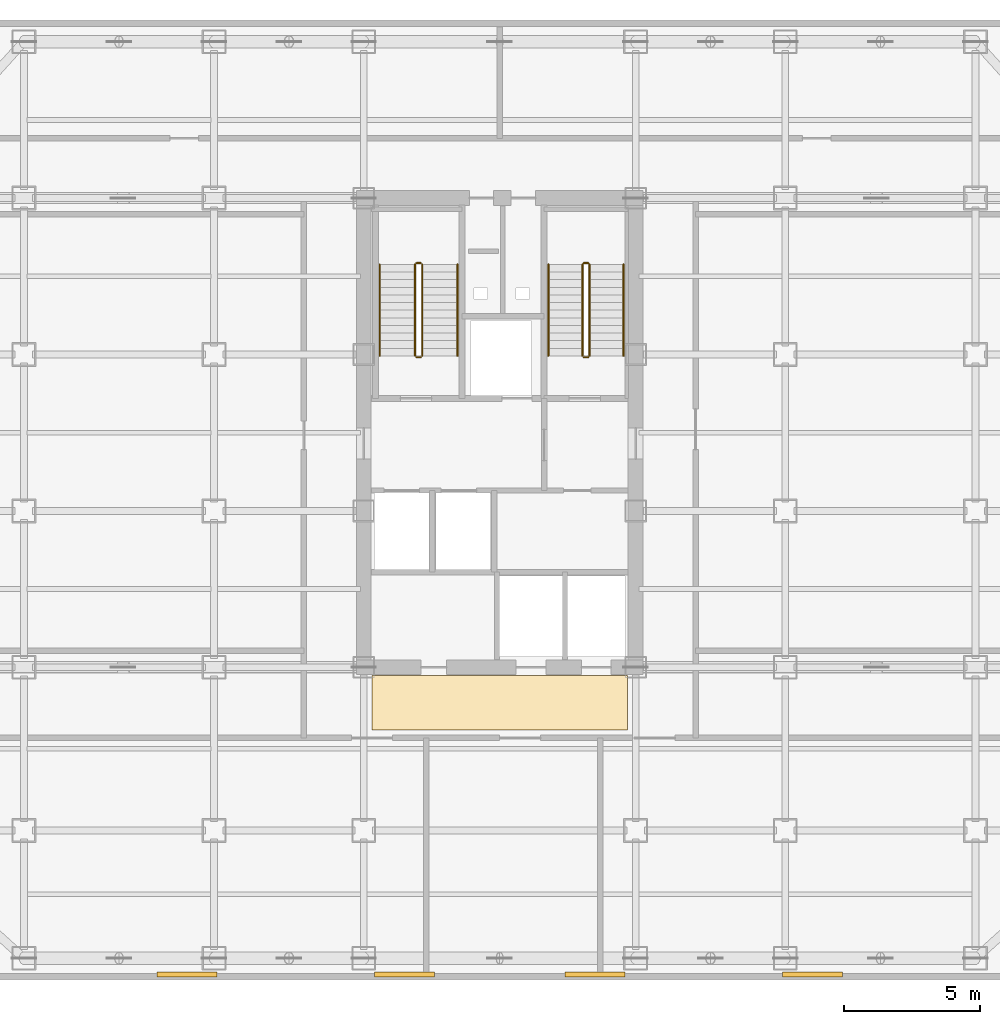
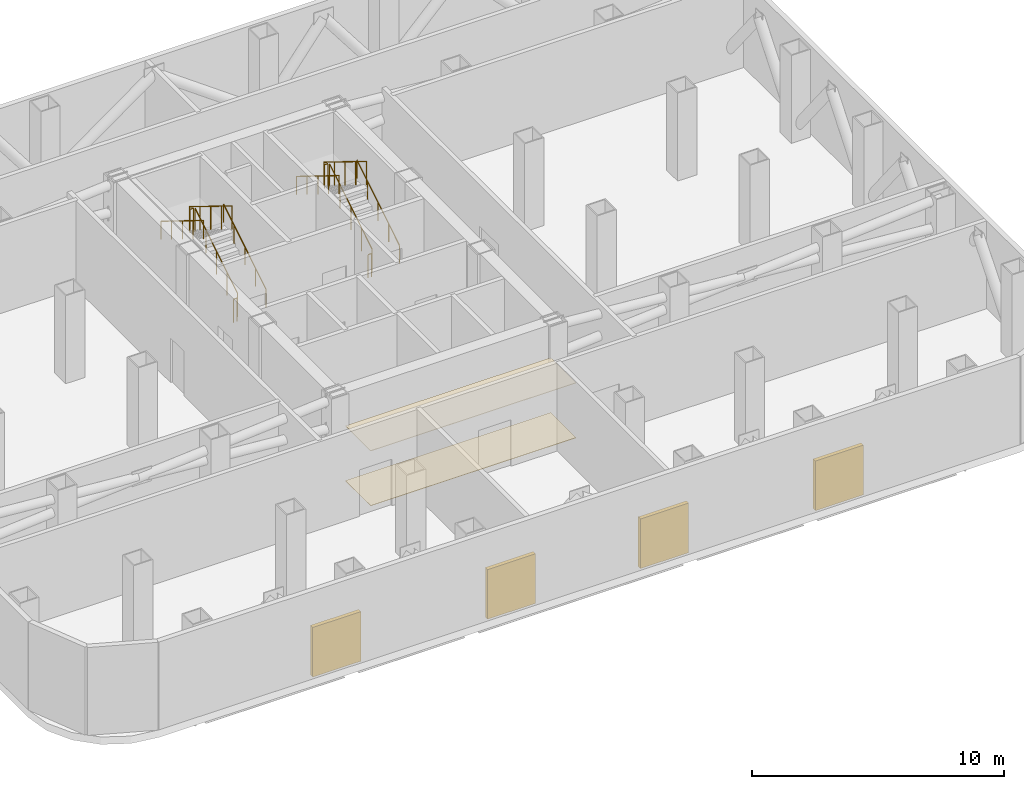
# One storey, part 9 of 9: 12 railings, 4 shading devices, 2 coverings.
"""IFC4 building model written with IfcOpenShell, lengths in metres."""

import ifcopenshell
import ifcopenshell.guid

model = None  # the IFC model being written
_history = None  # IfcOwnerHistory: only IFC2X3 demands one
_inside = {}  # id of a spatial element -> (the spatial element, [elements in it])
_under = {}  # id of a project, library or spatial element -> (it, [spatial elements below it])
_declared = {}  # id of a project -> (the project, [libraries it declares])
_typed = {}  # id of a type object -> (the type object, [elements of that type])
_made_of = {}  # id of a material, layer set ... -> (it, [elements and type objects made of it])


def new_model(schema):
    """Start an empty IFC model of exactly this schema.

    Asked for "IFC4X3", IfcOpenShell would pick the latest addendum, in which some entities
    have other attributes; the version numbers below select the first issue.
    IFC2X3 requires an IfcOwnerHistory on every rooted entity: one is made here for all.
    """
    global model, _history
    if schema == "IFC4X3":
        model = ifcopenshell.file(schema_version=(4, 3, 0, 0))
    else:
        model = ifcopenshell.file(schema=schema)
    _inside.clear()
    _under.clear()
    _declared.clear()
    _typed.clear()
    _made_of.clear()
    _history = None
    if model.schema == "IFC2X3":
        org = make("IfcOrganization", Name="unknown")
        user = make(
            "IfcPersonAndOrganization",
            ThePerson=make("IfcPerson", FamilyName="unknown"),
            TheOrganization=org,
        )
        app = make(
            "IfcApplication",
            ApplicationDeveloper=org,
            Version="unknown",
            ApplicationFullName="unknown",
            ApplicationIdentifier="unknown",
        )
        _history = make(
            "IfcOwnerHistory",
            OwningUser=user,
            OwningApplication=app,
            ChangeAction="ADDED",
            CreationDate=0,
        )
    return model


def make(cls, **values):
    """One entity of the class cls with the attributes given. An attribute that is None is left unset."""
    return model.create_entity(
        cls, **{name: value for name, value in values.items() if value is not None}
    )


def rooted(cls, **values):
    """An entity with a GlobalId (a new one), such as an element, a storey or a relation."""
    return make(cls, GlobalId=ifcopenshell.guid.new(), OwnerHistory=_history, **values)


def si_unit(unit_type, name, prefix=None):
    """IfcSIUnit, for example si_unit("LENGTHUNIT", "METRE", prefix="MILLI")."""
    return make("IfcSIUnit", UnitType=unit_type, Prefix=prefix, Name=name)


def assignment(units):
    """IfcUnitAssignment: the units of a project."""
    return None if units is None else make("IfcUnitAssignment", Units=units)


def point(xyz):
    """IfcCartesianPoint."""
    return None if xyz is None else make("IfcCartesianPoint", Coordinates=xyz)


def direction(xyz):
    """IfcDirection."""
    return None if xyz is None else make("IfcDirection", DirectionRatios=xyz)


def frame(location, z_axis=None, x_axis=None):
    """IfcAxis2Placement3D, a coordinate frame: its origin and axes. An axis left out is left unset."""
    return make(
        "IfcAxis2Placement3D",
        Location=point(location),
        Axis=direction(z_axis),
        RefDirection=direction(x_axis),
    )


def frame_2d(location, x_axis=None):
    """IfcAxis2Placement2D, a coordinate frame in the plane: its origin and x axis."""
    return make(
        "IfcAxis2Placement2D", Location=point(location), RefDirection=direction(x_axis)
    )


def origin():
    """The frame at (0, 0, 0) with its axes left unset."""
    return frame((0.0, 0.0, 0.0))


def origin_2d():
    """The frame at (0, 0) in the plane with its x axis left unset."""
    return frame_2d((0.0, 0.0))


def place(relative_to, where):
    """IfcLocalPlacement: puts the frame where relative to a parent placement (None: the world)."""
    return make(
        "IfcLocalPlacement", PlacementRelTo=relative_to, RelativePlacement=where
    )


def context(
    kind, dimensions, precision=None, world=None, true_north=None, identifier=None
):
    """IfcGeometricRepresentationContext, for example the 3D "Model" context."""
    return make(
        "IfcGeometricRepresentationContext",
        ContextIdentifier=identifier,
        ContextType=kind,
        CoordinateSpaceDimension=dimensions,
        Precision=precision,
        WorldCoordinateSystem=world,
        TrueNorth=true_north,
    )


def subcontext(parent, identifier, kind, view, scale=None):
    """IfcGeometricRepresentationSubContext, for example "Body" below "Model"."""
    return make(
        "IfcGeometricRepresentationSubContext",
        ContextIdentifier=identifier,
        ContextType=kind,
        ParentContext=parent,
        TargetScale=scale,
        TargetView=view,
    )


def project(units=None, contexts=None):
    """IfcProject with its units and contexts."""
    return rooted(
        "IfcProject",
        Name="project",
        RepresentationContexts=contexts,
        UnitsInContext=assignment(units),
    )


def spatial(cls, under=None, at=None, **own):
    """A site, building, storey or space (cls), placed at a placement, below another one or the project."""
    s = rooted(cls, ObjectPlacement=at, **own)
    if under is not None:
        _under.setdefault(under.id(), (under, []))[1].append(s)
    return s


def polyline(points):
    """IfcPolyline through the points."""
    return make("IfcPolyline", Points=[point(p) for p in points])


def profile(cls, at=None, kind="AREA", **sizes):
    """A parametric profile (cls). Its sizes go by their IFC names, for example OverallWidth=200.0."""
    return make(cls, ProfileType=kind, Position=at, **sizes)


def rectangle(**sizes):
    """IfcRectangleProfileDef."""
    return profile("IfcRectangleProfileDef", **sizes)


def circle(**sizes):
    """IfcCircleProfileDef."""
    return profile("IfcCircleProfileDef", **sizes)


def outline(outer, holes=None, kind="AREA"):
    """IfcArbitraryClosedProfileDef: a profile drawn as a closed curve; with holes, ...WithVoids."""
    if holes is None:
        return make("IfcArbitraryClosedProfileDef", ProfileType=kind, OuterCurve=outer)
    return make(
        "IfcArbitraryProfileDefWithVoids",
        ProfileType=kind,
        OuterCurve=outer,
        InnerCurves=holes,
    )


def extrude(swept, where, along, depth):
    """IfcExtrudedAreaSolid: the profile swept, set in the frame where, extruded along a direction by depth."""
    return make(
        "IfcExtrudedAreaSolid",
        SweptArea=swept,
        Position=where,
        ExtrudedDirection=direction(along),
        Depth=depth,
    )


def shape(context_of_items, identifier, shape_type, items):
    """IfcShapeRepresentation: the items that make up one representation, for example the "Body"."""
    return make(
        "IfcShapeRepresentation",
        ContextOfItems=context_of_items,
        RepresentationIdentifier=identifier,
        RepresentationType=shape_type,
        Items=items,
    )


def source(mapping_origin, context_of_items, identifier, shape_type, items):
    """IfcRepresentationMap: a shape defined once, which mapped items show again and again."""
    return make(
        "IfcRepresentationMap",
        MappingOrigin=mapping_origin,
        MappedRepresentation=shape(context_of_items, identifier, shape_type, items),
    )


def transform(
    local_origin,
    x_axis=None,
    y_axis=None,
    z_axis=None,
    scale=None,
    scale2=None,
    scale3=None,
    uniform=True,
):
    """IfcCartesianTransformationOperator3D, or its non-uniform kind. x_axis, y_axis, z_axis: its Axis1, 2, 3."""
    if uniform:
        return make(
            "IfcCartesianTransformationOperator3D",
            Axis1=direction(x_axis),
            Axis2=direction(y_axis),
            LocalOrigin=point(local_origin),
            Scale=scale,
            Axis3=direction(z_axis),
        )
    return make(
        "IfcCartesianTransformationOperator3DnonUniform",
        Axis1=direction(x_axis),
        Axis2=direction(y_axis),
        LocalOrigin=point(local_origin),
        Scale=scale,
        Axis3=direction(z_axis),
        Scale2=scale2,
        Scale3=scale3,
    )


def mapped(mapping_source, mapping_target):
    """IfcMappedItem: shows the shape of a source again, moved by a transform."""
    return make(
        "IfcMappedItem", MappingSource=mapping_source, MappingTarget=mapping_target
    )


def material(Name=None, Category=None):
    """IfcMaterial."""
    return make("IfcMaterial", Name=Name, Category=Category)


def layer(
    of_material, thickness, ventilated=None, Name=None, Category=None, Priority=None
):
    """IfcMaterialLayer: one layer of a wall or slab, of a material (None: an air gap)."""
    return make(
        "IfcMaterialLayer",
        Material=of_material,
        LayerThickness=thickness,
        IsVentilated=ventilated,
        Name=Name,
        Category=Category,
        Priority=Priority,
    )


def layer_set(layers, Name=None):
    """IfcMaterialLayerSet."""
    return make("IfcMaterialLayerSet", MaterialLayers=layers, LayerSetName=Name)


def made_of(thing, what):
    """Note that an element or type object is made of a material, layer set ...; save() writes the relation."""
    if what is not None:
        _made_of.setdefault(what.id(), (what, []))[1].append(thing)
    return thing


def type_object(cls, material=None, **own):
    """A type object (cls), such as IfcWallType, which elements share."""
    return made_of(rooted(cls, **own), material)


def element(
    cls,
    number,
    at=None,
    inside=None,
    cuts=None,
    type_object=None,
    material=None,
    context=None,
    identifier="Body",
    shape_type=None,
    held_by="IfcProductDefinitionShape",
    body=None,
    shapes=None,
    **own,
):
    """One element of the class cls, such as IfcWall. Its Tag is "e" and its number.

    at: its placement. inside: the storey or other place that contains it. cuts: it is an
    opening in that element (IfcRelVoidsElement). A single representation is given by context,
    identifier, shape_type and body (its items); several are given by shapes. held_by: the class
    of the entity that holds the representations. save() writes the other relations.
    """
    e = rooted(cls, Tag="e%d" % number, ObjectPlacement=at, **own)
    if body is not None:
        shapes = [shape(context, identifier, shape_type, body)]
    if shapes is not None:
        e.Representation = make(held_by, Representations=shapes)
    if inside is not None:
        _inside.setdefault(inside.id(), (inside, []))[1].append(e)
    if cuts is not None:
        rooted(
            "IfcRelVoidsElement", RelatingBuildingElement=cuts, RelatedOpeningElement=e
        )
    if type_object is not None:
        _typed.setdefault(type_object.id(), (type_object, []))[1].append(e)
    return made_of(e, material)


def aggregate(whole, parts):
    """IfcRelAggregates: a whole, such as a stair, and the parts it consists of."""
    return rooted("IfcRelAggregates", RelatingObject=whole, RelatedObjects=parts)


def save(model, path):
    """Write the relations noted so far, then the file.

    IfcRelAggregates (storeys below a building ...), IfcRelContainedInSpatialStructure (elements
    in a storey), IfcRelDefinesByType, IfcRelAssociatesMaterial and IfcRelDeclares: one each for
    every whole, place, type object, material and project.
    """
    for whole, parts in _under.values():
        aggregate(whole, parts)
    for where, things in _inside.values():
        rooted(
            "IfcRelContainedInSpatialStructure",
            RelatedElements=things,
            RelatingStructure=where,
        )
    for kind, things in _typed.values():
        rooted("IfcRelDefinesByType", RelatedObjects=things, RelatingType=kind)
    for what, things in _made_of.values():
        rooted("IfcRelAssociatesMaterial", RelatedObjects=things, RelatingMaterial=what)
    for by, libraries in _declared.values():
        rooted("IfcRelDeclares", RelatingContext=by, RelatedDefinitions=libraries)
    model.write(path)


model = new_model("IFC4")

# Units and contexts
model_context = context("Model", 3, precision=1e-05, world=origin(), true_north=direction((0.0, 1.0)))
body_context = subcontext(model_context, "Body", "Model", "MODEL_VIEW")
ifc_project = project(units=[si_unit("LENGTHUNIT", "METRE"), si_unit("AREAUNIT", "SQUARE_METRE"), si_unit("VOLUMEUNIT", "CUBIC_METRE"), si_unit("PLANEANGLEUNIT", "RADIAN"), si_unit("MASSUNIT", "GRAM", prefix="KILO")], contexts=[model_context])

# Site, building, storey
site_placement = place(None, origin())
site = spatial("IfcSite", under=ifc_project, at=site_placement, CompositionType="ELEMENT")
building_placement = place(site_placement, origin())
building = spatial("IfcBuilding", under=site, at=building_placement, Name="Kolveth Station Tower", CompositionType="ELEMENT")
storey_placement = place(building_placement, frame((0.0, 0.0, 143.89990234375)))
storey = spatial("IfcBuildingStorey", under=building, at=storey_placement, Name="L40", CompositionType="ELEMENT", Elevation=143.89990234375)

# Coverings
ifc_material_1 = material(Name="Acoustic mineral-fibre ceiling tile")
ifc_layer_1 = layer(ifc_material_1, 0.02490234375)
ifc_layer_set_1 = layer_set([ifc_layer_1], Name="Acoustic mineral-fibre ceiling tile")
covering_type_1 = type_object("IfcCoveringType", Name="Ceil_CL1", PredefinedType="CEILING", material=ifc_layer_set_1)
covering_1_placement = place(storey_placement, frame((0.0, 0.0, 2.650146484375)))
element("IfcCovering", 1, at=covering_1_placement, inside=storey, type_object=covering_type_1, Name="L40 Lift Lobby Suspended Ceiling", PredefinedType="CEILING", context=body_context, shape_type="SweptSolid", body=[
    extrude(outline(polyline([(18.800048828125, 9.199951171875), (28.199951171875, 9.199951171875), (28.199951171875, 11.199951171875), (18.800048828125, 11.199951171875), (18.800048828125, 9.199951171875)])), origin(), (0.0, 0.0, 1.0), 0.02490234375),
])
ifc_material_2 = material(Name="Honed terrazzo flooring")
ifc_layer_2 = layer(ifc_material_2, 0.02001953125)
ifc_layer_set_2 = layer_set([ifc_layer_2], Name="Honed terrazzo flooring")
covering_type_2 = type_object("IfcCoveringType", Name="Floor_FL1", PredefinedType="FLOORING", material=ifc_layer_set_2)
covering_2_placement = place(storey_placement, origin())
element("IfcCovering", 2, at=covering_2_placement, inside=storey, type_object=covering_type_2, Name="L40 Lift Lobby Floor Finish", PredefinedType="FLOORING", context=body_context, shape_type="SweptSolid", body=[
    extrude(outline(polyline([(18.800048828125, 9.199951171875), (28.199951171875, 9.199951171875), (28.199951171875, 11.199951171875), (18.800048828125, 11.199951171875), (18.800048828125, 9.199951171875)])), origin(), (0.0, 0.0, 1.0), 0.02001953125),
])

# Railings
ifc_material_3 = material(Name="Painted Steel S355 balustrade", Category="steel")
railing_type_1 = type_object("IfcRailingType", Name="Guard_GR2", PredefinedType="BALUSTRADE", material=ifc_material_3)
railing_1_placement = place(storey_placement, frame((20.64990234375, 22.949951171875, 0.173095703125)))
element("IfcRailing", 3, at=railing_1_placement, inside=storey, type_object=railing_type_1, Name="L40 ST1 stair guard 1", PredefinedType="BALUSTRADE", context=body_context, shape_type="SweptSolid", body=[
    extrude(circle(Radius=0.02392578125, at=origin_2d()), frame((0.0, 0.0, 1.1259765625), z_axis=(0.0, 0.850623216509, 0.525775754039), x_axis=(-1.0, 0.0, 0.0)), (0.0, 0.0, 1.0), 3.9501953125),
    extrude(circle(Radius=0.02099609375, at=origin_2d()), origin(), (0.0, 0.0, 1.0), 1.101806640625),
    extrude(circle(Radius=0.02099609375, at=origin_2d()), frame((0.0, 0.840087890625, 0.519287109375)), (0.0, 0.0, 1.0), 1.101806640625),
    extrude(circle(Radius=0.02099609375, at=origin_2d()), frame((0.0, 1.68017578125, 1.03857421875)), (0.0, 0.0, 1.0), 1.101806640625),
    extrude(circle(Radius=0.02099609375, at=origin_2d()), frame((0.0, 2.52001953125, 1.5576171875)), (0.0, 0.0, 1.0), 1.101806640625),
    extrude(circle(Radius=0.02099609375, at=origin_2d()), frame((0.0, 3.360107421875, 2.076904296875)), (0.0, 0.0, 1.0), 1.101806640625),
])
railing_2_placement = place(storey_placement, frame((20.60009765625, 26.360107421875, 2.25)))
element("IfcRailing", 4, at=railing_2_placement, inside=storey, type_object=railing_type_1, Name="L40 ST1 stair guard 2", PredefinedType="BALUSTRADE", context=body_context, shape_type="SweptSolid", body=[
    extrude(circle(Radius=0.02392578125, at=origin_2d()), frame((0.0, 0.0, 1.1259765625), z_axis=(-1.0, 0.0, 0.0), x_axis=(0.0, -1.0, 0.0)), (0.0, 0.0, 1.0), 0.16015625),
    extrude(circle(Radius=0.02099609375, at=origin_2d()), origin(), (0.0, 0.0, 1.0), 1.101806640625),
    extrude(circle(Radius=0.02099609375, at=origin_2d()), frame((-0.16015625, 0.0, 0.0)), (0.0, 0.0, 1.0), 1.101806640625),
])
railing_3_placement = place(storey_placement, frame((20.389892578125, 26.31005859375, 2.423095703125)))
element("IfcRailing", 5, at=railing_3_placement, inside=storey, type_object=railing_type_1, Name="L40 ST1 stair guard 3", PredefinedType="BALUSTRADE", context=body_context, shape_type="SweptSolid", body=[
    extrude(circle(Radius=0.02392578125, at=origin_2d()), frame((0.0, 0.0, 1.1259765625), z_axis=(0.0, -0.850623216509, 0.525775754039), x_axis=(1.0, 0.0, 0.0)), (0.0, 0.0, 1.0), 3.9501953125),
    extrude(circle(Radius=0.02099609375, at=origin_2d()), origin(), (0.0, 0.0, 1.0), 1.101806640625),
    extrude(circle(Radius=0.02099609375, at=origin_2d()), frame((0.0, -0.840087890625, 0.519287109375)), (0.0, 0.0, 1.0), 1.101806640625),
    extrude(circle(Radius=0.02099609375, at=origin_2d()), frame((0.0, -1.68017578125, 1.03857421875)), (0.0, 0.0, 1.0), 1.101806640625),
    extrude(circle(Radius=0.02099609375, at=origin_2d()), frame((0.0, -2.52001953125, 1.5576171875)), (0.0, 0.0, 1.0), 1.101806640625),
    extrude(circle(Radius=0.02099609375, at=origin_2d()), frame((0.0, -3.360107421875, 2.076904296875)), (0.0, 0.0, 1.0), 1.101806640625),
])
railing_4_placement = place(storey_placement, frame((20.60009765625, 22.89990234375, 0.0)))
element("IfcRailing", 6, at=railing_4_placement, inside=storey, type_object=railing_type_1, Name="L40 ST1 stair guard 4", PredefinedType="BALUSTRADE", context=body_context, shape_type="SweptSolid", body=[
    extrude(circle(Radius=0.02392578125, at=origin_2d()), frame((0.0, 0.0, 1.1259765625), z_axis=(-1.0, 0.0, 0.0), x_axis=(0.0, -1.0, 0.0)), (0.0, 0.0, 1.0), 0.16015625),
    extrude(circle(Radius=0.02099609375, at=origin_2d()), origin(), (0.0, 0.0, 1.0), 1.101806640625),
    extrude(circle(Radius=0.02099609375, at=origin_2d()), frame((-0.16015625, 0.0, 0.0)), (0.0, 0.0, 1.0), 1.101806640625),
])
railing_5_placement = place(storey_placement, frame((26.800048828125, 22.949951171875, 0.173095703125)))
element("IfcRailing", 7, at=railing_5_placement, inside=storey, type_object=railing_type_1, Name="L40 ST2 stair guard 1", PredefinedType="BALUSTRADE", context=body_context, shape_type="SweptSolid", body=[
    extrude(circle(Radius=0.02392578125, at=origin_2d()), frame((0.0, 0.0, 1.1259765625), z_axis=(0.0, 0.850623216509, 0.525775754039), x_axis=(-1.0, 0.0, 0.0)), (0.0, 0.0, 1.0), 3.9501953125),
    extrude(circle(Radius=0.02099609375, at=origin_2d()), origin(), (0.0, 0.0, 1.0), 1.101806640625),
    extrude(circle(Radius=0.02099609375, at=origin_2d()), frame((0.0, 0.840087890625, 0.519287109375)), (0.0, 0.0, 1.0), 1.101806640625),
    extrude(circle(Radius=0.02099609375, at=origin_2d()), frame((0.0, 1.68017578125, 1.03857421875)), (0.0, 0.0, 1.0), 1.101806640625),
    extrude(circle(Radius=0.02099609375, at=origin_2d()), frame((0.0, 2.52001953125, 1.5576171875)), (0.0, 0.0, 1.0), 1.101806640625),
    extrude(circle(Radius=0.02099609375, at=origin_2d()), frame((0.0, 3.360107421875, 2.076904296875)), (0.0, 0.0, 1.0), 1.101806640625),
])
railing_6_placement = place(storey_placement, frame((26.75, 26.360107421875, 2.25)))
element("IfcRailing", 8, at=railing_6_placement, inside=storey, type_object=railing_type_1, Name="L40 ST2 stair guard 2", PredefinedType="BALUSTRADE", context=body_context, shape_type="SweptSolid", body=[
    extrude(circle(Radius=0.02392578125, at=origin_2d()), frame((0.0, 0.0, 1.1259765625), z_axis=(-1.0, 0.0, 0.0), x_axis=(0.0, -1.0, 0.0)), (0.0, 0.0, 1.0), 0.159912109375),
    extrude(circle(Radius=0.02099609375, at=origin_2d()), origin(), (0.0, 0.0, 1.0), 1.101806640625),
    extrude(circle(Radius=0.02099609375, at=origin_2d()), frame((-0.159912109375, 0.0, 0.0)), (0.0, 0.0, 1.0), 1.101806640625),
])
railing_7_placement = place(storey_placement, frame((26.5400390625, 26.31005859375, 2.423095703125)))
element("IfcRailing", 9, at=railing_7_placement, inside=storey, type_object=railing_type_1, Name="L40 ST2 stair guard 3", PredefinedType="BALUSTRADE", context=body_context, shape_type="SweptSolid", body=[
    extrude(circle(Radius=0.02392578125, at=origin_2d()), frame((0.0, 0.0, 1.1259765625), z_axis=(0.0, -0.850623216509, 0.525775754039), x_axis=(1.0, 0.0, 0.0)), (0.0, 0.0, 1.0), 3.9501953125),
    extrude(circle(Radius=0.02099609375, at=origin_2d()), origin(), (0.0, 0.0, 1.0), 1.101806640625),
    extrude(circle(Radius=0.02099609375, at=origin_2d()), frame((0.0, -0.840087890625, 0.519287109375)), (0.0, 0.0, 1.0), 1.101806640625),
    extrude(circle(Radius=0.02099609375, at=origin_2d()), frame((0.0, -1.68017578125, 1.03857421875)), (0.0, 0.0, 1.0), 1.101806640625),
    extrude(circle(Radius=0.02099609375, at=origin_2d()), frame((0.0, -2.52001953125, 1.5576171875)), (0.0, 0.0, 1.0), 1.101806640625),
    extrude(circle(Radius=0.02099609375, at=origin_2d()), frame((0.0, -3.360107421875, 2.076904296875)), (0.0, 0.0, 1.0), 1.101806640625),
])
railing_8_placement = place(storey_placement, frame((26.75, 22.89990234375, 0.0)))
element("IfcRailing", 10, at=railing_8_placement, inside=storey, type_object=railing_type_1, Name="L40 ST2 stair guard 4", PredefinedType="BALUSTRADE", context=body_context, shape_type="SweptSolid", body=[
    extrude(circle(Radius=0.02392578125, at=origin_2d()), frame((0.0, 0.0, 1.1259765625), z_axis=(-1.0, 0.0, 0.0), x_axis=(0.0, -1.0, 0.0)), (0.0, 0.0, 1.0), 0.159912109375),
    extrude(circle(Radius=0.02099609375, at=origin_2d()), origin(), (0.0, 0.0, 1.0), 1.101806640625),
    extrude(circle(Radius=0.02099609375, at=origin_2d()), frame((-0.159912109375, 0.0, 0.0)), (0.0, 0.0, 1.0), 1.101806640625),
])
ifc_material_4 = material(Name="Brushed stainless steel", Category="steel")
railing_type_2 = type_object("IfcRailingType", Name="Handrail_HR1", PredefinedType="HANDRAIL", material=ifc_material_4)
railing_9_placement = place(storey_placement, frame((21.949951171875, 22.949951171875, 0.173095703125)))
element("IfcRailing", 11, at=railing_9_placement, inside=storey, type_object=railing_type_2, Name="L40 ST1 stair handrail 1", PredefinedType="HANDRAIL", context=body_context, shape_type="SweptSolid", body=[
    extrude(circle(Radius=0.02392578125, at=origin_2d()), frame((0.0, 0.0, 0.8759765625), z_axis=(0.0, 0.850623216509, 0.525775754039), x_axis=(-1.0, 0.0, 0.0)), (0.0, 0.0, 1.0), 3.9501953125),
    extrude(circle(Radius=0.02099609375, at=origin_2d()), origin(), (0.0, 0.0, 1.0), 0.851806640625),
    extrude(circle(Radius=0.02099609375, at=origin_2d()), frame((0.0, 0.840087890625, 0.519287109375)), (0.0, 0.0, 1.0), 0.851806640625),
    extrude(circle(Radius=0.02099609375, at=origin_2d()), frame((0.0, 1.68017578125, 1.03857421875)), (0.0, 0.0, 1.0), 0.851806640625),
    extrude(circle(Radius=0.02099609375, at=origin_2d()), frame((0.0, 2.52001953125, 1.5576171875)), (0.0, 0.0, 1.0), 0.851806640625),
    extrude(circle(Radius=0.02099609375, at=origin_2d()), frame((0.0, 3.360107421875, 2.076904296875)), (0.0, 0.0, 1.0), 0.851806640625),
])
railing_10_placement = place(storey_placement, frame((19.090087890625, 26.31005859375, 2.423095703125)))
element("IfcRailing", 12, at=railing_10_placement, inside=storey, type_object=railing_type_2, Name="L40 ST1 stair handrail 2", PredefinedType="HANDRAIL", context=body_context, shape_type="SweptSolid", body=[
    extrude(circle(Radius=0.02392578125, at=origin_2d()), frame((0.0, 0.0, 0.8759765625), z_axis=(0.0, -0.850623216509, 0.525775754039), x_axis=(1.0, 0.0, 0.0)), (0.0, 0.0, 1.0), 3.9501953125),
    extrude(circle(Radius=0.02099609375, at=origin_2d()), origin(), (0.0, 0.0, 1.0), 0.851806640625),
    extrude(circle(Radius=0.02099609375, at=origin_2d()), frame((0.0, -0.840087890625, 0.519287109375)), (0.0, 0.0, 1.0), 0.851806640625),
    extrude(circle(Radius=0.02099609375, at=origin_2d()), frame((0.0, -1.68017578125, 1.03857421875)), (0.0, 0.0, 1.0), 0.851806640625),
    extrude(circle(Radius=0.02099609375, at=origin_2d()), frame((0.0, -2.52001953125, 1.5576171875)), (0.0, 0.0, 1.0), 0.851806640625),
    extrude(circle(Radius=0.02099609375, at=origin_2d()), frame((0.0, -3.360107421875, 2.076904296875)), (0.0, 0.0, 1.0), 0.851806640625),
])
railing_11_placement = place(storey_placement, frame((28.050048828125, 22.949951171875, 0.173095703125)))
element("IfcRailing", 13, at=railing_11_placement, inside=storey, type_object=railing_type_2, Name="L40 ST2 stair handrail 1", PredefinedType="HANDRAIL", context=body_context, shape_type="SweptSolid", body=[
    extrude(circle(Radius=0.02392578125, at=origin_2d()), frame((0.0, 0.0, 0.8759765625), z_axis=(0.0, 0.850623216509, 0.525775754039), x_axis=(-1.0, 0.0, 0.0)), (0.0, 0.0, 1.0), 3.9501953125),
    extrude(circle(Radius=0.02099609375, at=origin_2d()), origin(), (0.0, 0.0, 1.0), 0.851806640625),
    extrude(circle(Radius=0.02099609375, at=origin_2d()), frame((0.0, 0.840087890625, 0.519287109375)), (0.0, 0.0, 1.0), 0.851806640625),
    extrude(circle(Radius=0.02099609375, at=origin_2d()), frame((0.0, 1.68017578125, 1.03857421875)), (0.0, 0.0, 1.0), 0.851806640625),
    extrude(circle(Radius=0.02099609375, at=origin_2d()), frame((0.0, 2.52001953125, 1.5576171875)), (0.0, 0.0, 1.0), 0.851806640625),
    extrude(circle(Radius=0.02099609375, at=origin_2d()), frame((0.0, 3.360107421875, 2.076904296875)), (0.0, 0.0, 1.0), 0.851806640625),
])
railing_12_placement = place(storey_placement, frame((25.2900390625, 26.31005859375, 2.423095703125)))
element("IfcRailing", 14, at=railing_12_placement, inside=storey, type_object=railing_type_2, Name="L40 ST2 stair handrail 2", PredefinedType="HANDRAIL", context=body_context, shape_type="SweptSolid", body=[
    extrude(circle(Radius=0.02392578125, at=origin_2d()), frame((0.0, 0.0, 0.8759765625), z_axis=(0.0, -0.850623216509, 0.525775754039), x_axis=(1.0, 0.0, 0.0)), (0.0, 0.0, 1.0), 3.9501953125),
    extrude(circle(Radius=0.02099609375, at=origin_2d()), origin(), (0.0, 0.0, 1.0), 0.851806640625),
    extrude(circle(Radius=0.02099609375, at=origin_2d()), frame((0.0, -0.840087890625, 0.519287109375)), (0.0, 0.0, 1.0), 0.851806640625),
    extrude(circle(Radius=0.02099609375, at=origin_2d()), frame((0.0, -1.68017578125, 1.03857421875)), (0.0, 0.0, 1.0), 0.851806640625),
    extrude(circle(Radius=0.02099609375, at=origin_2d()), frame((0.0, -2.52001953125, 1.5576171875)), (0.0, 0.0, 1.0), 0.851806640625),
    extrude(circle(Radius=0.02099609375, at=origin_2d()), frame((0.0, -3.360107421875, 2.076904296875)), (0.0, 0.0, 1.0), 0.851806640625),
])

# Shading devices
ifc_material_5 = material(Name="Black anodized aluminium 6063-T6", Category="aluminium")
shading_device_type = type_object("IfcShadingDeviceType", Name="Louvre_LV1", PredefinedType="JALOUSIE", material=ifc_material_5)
shared_shape = source(origin(), body_context, "Body", "SweptSolid", [
    extrude(rectangle(XDim=2.199951171875, YDim=0.179931640625, at=origin_2d()), origin(), (0.0, 0.0, 1.0), 2.39990234375),
])
for number, where, z_axis, x_axis, name in (
    (15, (12.0, 0.199951171875, 0.000244140625), (0.0, 0.0, 1.0), (1.0, 0.0, 0.0), "L40 Mechanical Plant Acoustic Louvre S1"),
    (16, (20.0, 0.199951171875, 0.000244140625), (0.0, 0.0, 1.0), (1.0, 0.0, 0.0), "L40 Mechanical Plant Acoustic Louvre S2"),
    (17, (27.0, 0.199951171875, 0.000244140625), (0.0, 0.0, 1.0), (1.0, 0.0, 0.0), "L40 Mechanical Plant Acoustic Louvre S3"),
    (18, (35.0, 0.199951171875, 0.000244140625), (0.0, 0.0, 1.0), (1.0, 0.0, 0.0), "L40 Mechanical Plant Acoustic Louvre S4"),
):
    element("IfcShadingDevice", number, at=place(storey_placement, frame(where, z_axis=z_axis, x_axis=x_axis)), inside=storey, type_object=shading_device_type, Name=name, PredefinedType="JALOUSIE", context=body_context, shape_type="MappedRepresentation", body=[
        mapped(shared_shape, transform((0.0, 0.0, 0.0), x_axis=(1.0, 0.0, 0.0), y_axis=(0.0, 1.0, 0.0), z_axis=(0.0, 0.0, 1.0), scale=1.0)),
    ])

save(model, "model.ifc")
